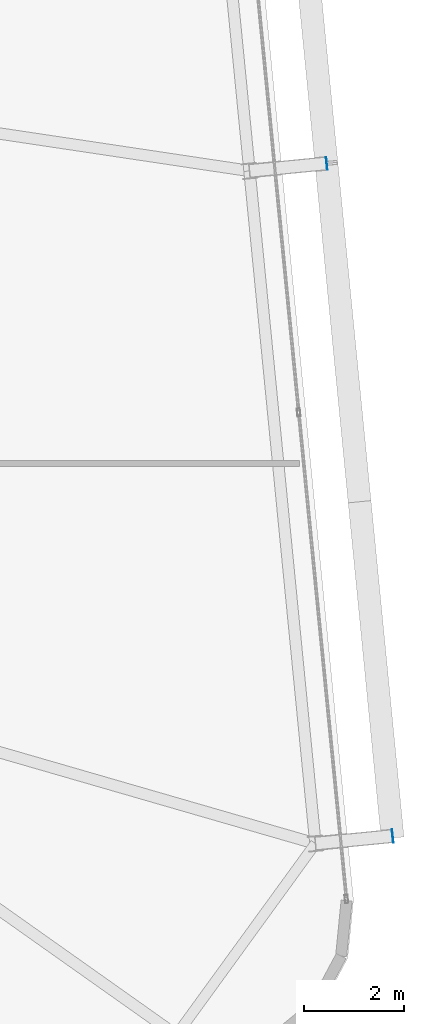
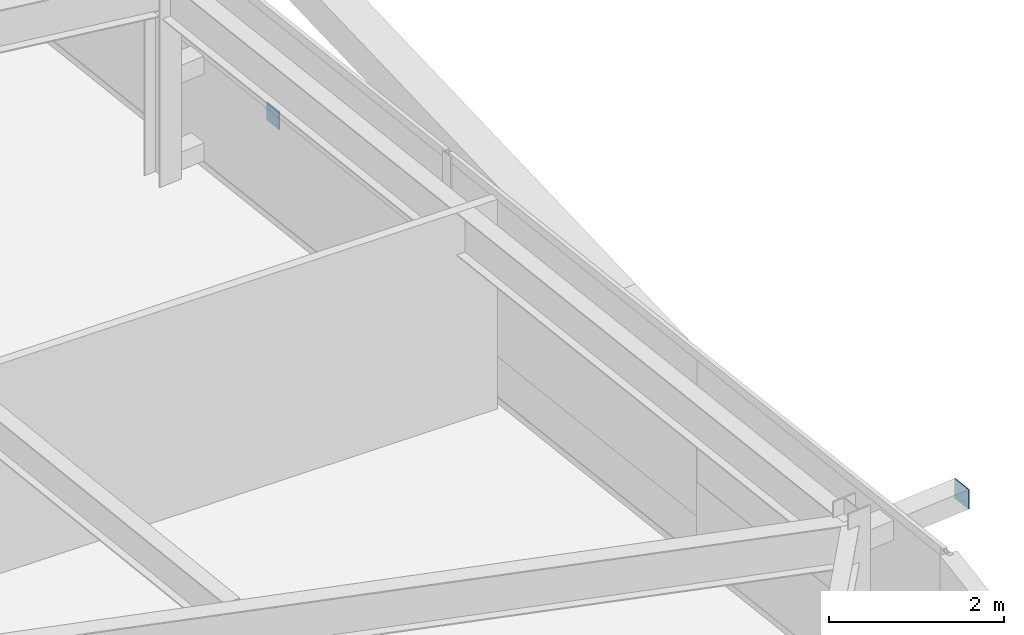
# One storey, part 37 of 47: 2 plates.
"""IFC4 building model written with IfcOpenShell, lengths in metres."""

from ifc_helpers import new_model, si_unit, direction, frame, origin, origin_2d, place, context, subcontext, project, spatial, rectangle, extrude, source, transform, mapped, material, layer, layer_set, type_object, element, save


model = new_model("IFC4")

# Units and contexts
model_context = context("Model", 3, precision=1e-05, world=origin(), true_north=direction((0.0, 1.0)))
body_context = subcontext(model_context, "Body", "Model", "MODEL_VIEW")
ifc_project = project(units=[si_unit("LENGTHUNIT", "METRE"), si_unit("AREAUNIT", "SQUARE_METRE"), si_unit("VOLUMEUNIT", "CUBIC_METRE"), si_unit("PLANEANGLEUNIT", "RADIAN"), si_unit("MASSUNIT", "GRAM", prefix="KILO")], contexts=[model_context])

# Site, building, storey
site_placement = place(None, origin())
site = spatial("IfcSite", under=ifc_project, at=site_placement, CompositionType="ELEMENT")
building_placement = place(site_placement, origin())
building = spatial("IfcBuilding", under=site, at=building_placement, Name="Taldren Reach Tower", CompositionType="ELEMENT")
storey_placement = place(building_placement, frame((0.0, 0.0, 87.14990234375)))
storey = spatial("IfcBuildingStorey", under=building, at=storey_placement, Name="L26", CompositionType="ELEMENT", Elevation=87.14990234375)

# Plates
ifc_material_1 = material(Name="Steel Gr 450 (C450L0)", Category="steel")
ifc_layer_1 = layer(ifc_material_1, 0.011962890625)
ifc_layer_set_1 = layer_set([ifc_layer_1], Name="Steel Gr 450 (C450L0)")
plate_type_1 = type_object("IfcPlateType", Name="PL-CAP-275", PredefinedType="SHEET", material=ifc_layer_set_1)
shared_shape_1 = source(origin(), body_context, "Body", "SweptSolid", [
    extrude(rectangle(XDim=0.011962890625, YDim=0.27490234375, at=origin_2d()), origin(), (0.0, 0.0, 1.0), 0.27490234375),
])
plate_1_placement = place(storey_placement, frame((67.440185546875, 8.635498046875, 2.5126953125), z_axis=(0.0, 0.0, 1.0), x_axis=(0.995227399982, 0.097582899759, 0.0)))
element("IfcPlate", 1, at=plate_1_placement, inside=storey, type_object=plate_type_1, Name="Tie strut end cap plate B2-E1 L26", PredefinedType="SHEET", context=body_context, shape_type="MappedRepresentation", body=[
    mapped(shared_shape_1, transform((0.0, 0.0, 0.0), scale=1.0)),
])
ifc_material_2 = material(Name="Steel Gr 350 (C350L0)", Category="steel")
ifc_layer_2 = layer(ifc_material_2, 0.011962890625)
ifc_layer_set_2 = layer_set([ifc_layer_2], Name="Steel Gr 350 (C350L0)")
plate_type_2 = type_object("IfcPlateType", Name="PL-CAP-250", PredefinedType="SHEET", material=ifc_layer_set_2)
shared_shape_2 = source(origin(), body_context, "Body", "SweptSolid", [
    extrude(rectangle(XDim=0.011962890625, YDim=0.25, at=origin_2d()), origin(), (0.0, 0.0, 1.0), 0.25),
])
plate_2_placement = place(storey_placement, frame((66.1181640625, 22.120849609375, 0.09521484375), z_axis=(0.0, 0.0, 1.0), x_axis=(0.995227399982, 0.097582899759, 0.0)))
element("IfcPlate", 2, at=plate_2_placement, inside=storey, type_object=plate_type_2, Name="Tie strut end cap plate B2-E2 L26", PredefinedType="SHEET", context=body_context, shape_type="MappedRepresentation", body=[
    mapped(shared_shape_2, transform((0.0, 0.0, 0.0), scale=1.0)),
])

save(model, "model.ifc")
